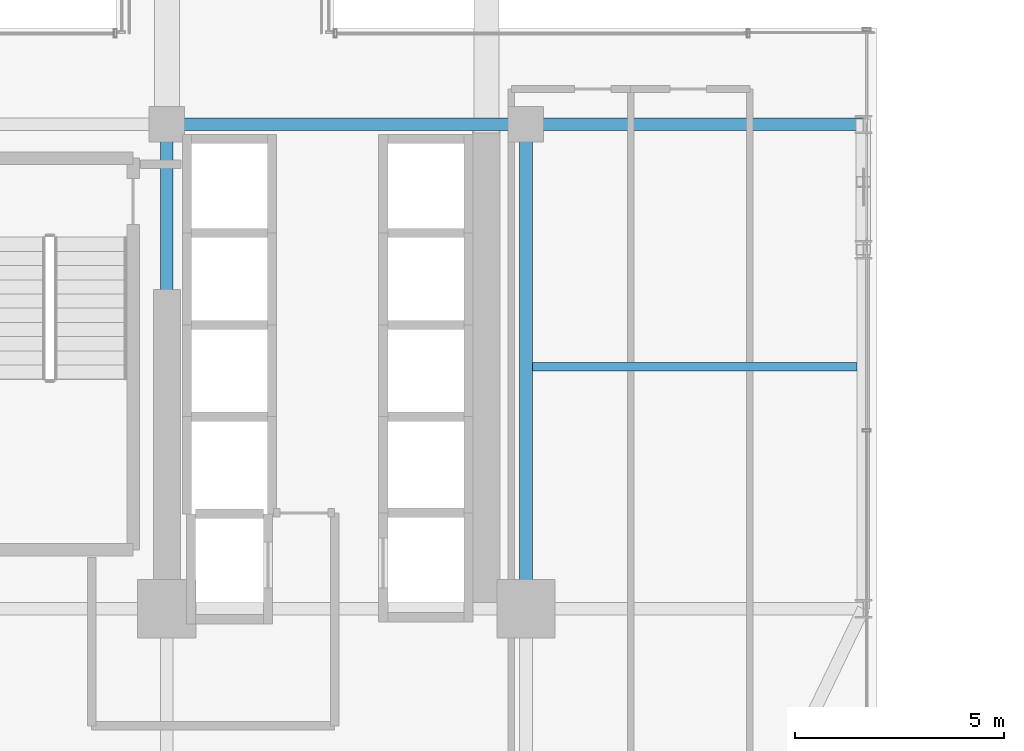
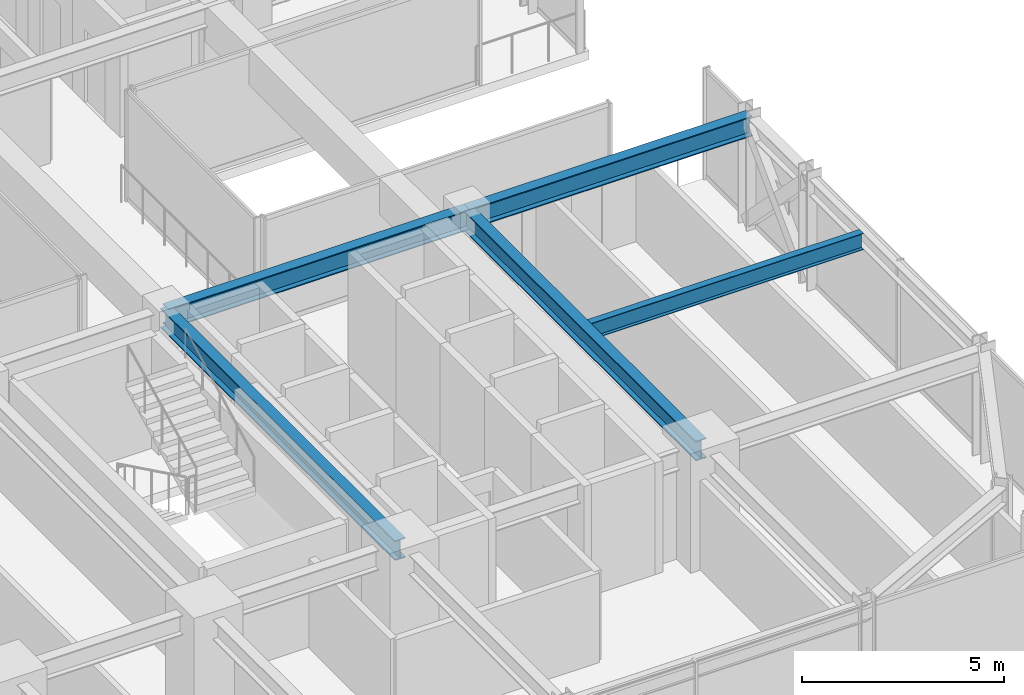
# One storey, part 15 of 43: 5 beams.
"""IFC4 building model written with IfcOpenShell, lengths in metres."""

import ifcopenshell
import ifcopenshell.guid

model = None  # the IFC model being written
_history = None  # IfcOwnerHistory: only IFC2X3 demands one
_inside = {}  # id of a spatial element -> (the spatial element, [elements in it])
_under = {}  # id of a project, library or spatial element -> (it, [spatial elements below it])
_declared = {}  # id of a project -> (the project, [libraries it declares])
_typed = {}  # id of a type object -> (the type object, [elements of that type])
_made_of = {}  # id of a material, layer set ... -> (it, [elements and type objects made of it])


def new_model(schema):
    """Start an empty IFC model of exactly this schema.

    Asked for "IFC4X3", IfcOpenShell would pick the latest addendum, in which some entities
    have other attributes; the version numbers below select the first issue.
    IFC2X3 requires an IfcOwnerHistory on every rooted entity: one is made here for all.
    """
    global model, _history
    if schema == "IFC4X3":
        model = ifcopenshell.file(schema_version=(4, 3, 0, 0))
    else:
        model = ifcopenshell.file(schema=schema)
    _inside.clear()
    _under.clear()
    _declared.clear()
    _typed.clear()
    _made_of.clear()
    _history = None
    if model.schema == "IFC2X3":
        org = make("IfcOrganization", Name="unknown")
        user = make(
            "IfcPersonAndOrganization",
            ThePerson=make("IfcPerson", FamilyName="unknown"),
            TheOrganization=org,
        )
        app = make(
            "IfcApplication",
            ApplicationDeveloper=org,
            Version="unknown",
            ApplicationFullName="unknown",
            ApplicationIdentifier="unknown",
        )
        _history = make(
            "IfcOwnerHistory",
            OwningUser=user,
            OwningApplication=app,
            ChangeAction="ADDED",
            CreationDate=0,
        )
    return model


def make(cls, **values):
    """One entity of the class cls with the attributes given. An attribute that is None is left unset."""
    return model.create_entity(
        cls, **{name: value for name, value in values.items() if value is not None}
    )


def rooted(cls, **values):
    """An entity with a GlobalId (a new one), such as an element, a storey or a relation."""
    return make(cls, GlobalId=ifcopenshell.guid.new(), OwnerHistory=_history, **values)


def si_unit(unit_type, name, prefix=None):
    """IfcSIUnit, for example si_unit("LENGTHUNIT", "METRE", prefix="MILLI")."""
    return make("IfcSIUnit", UnitType=unit_type, Prefix=prefix, Name=name)


def assignment(units):
    """IfcUnitAssignment: the units of a project."""
    return None if units is None else make("IfcUnitAssignment", Units=units)


def point(xyz):
    """IfcCartesianPoint."""
    return None if xyz is None else make("IfcCartesianPoint", Coordinates=xyz)


def direction(xyz):
    """IfcDirection."""
    return None if xyz is None else make("IfcDirection", DirectionRatios=xyz)


def frame(location, z_axis=None, x_axis=None):
    """IfcAxis2Placement3D, a coordinate frame: its origin and axes. An axis left out is left unset."""
    return make(
        "IfcAxis2Placement3D",
        Location=point(location),
        Axis=direction(z_axis),
        RefDirection=direction(x_axis),
    )


def frame_2d(location, x_axis=None):
    """IfcAxis2Placement2D, a coordinate frame in the plane: its origin and x axis."""
    return make(
        "IfcAxis2Placement2D", Location=point(location), RefDirection=direction(x_axis)
    )


def origin():
    """The frame at (0, 0, 0) with its axes left unset."""
    return frame((0.0, 0.0, 0.0))


def origin_2d():
    """The frame at (0, 0) in the plane with its x axis left unset."""
    return frame_2d((0.0, 0.0))


def place(relative_to, where):
    """IfcLocalPlacement: puts the frame where relative to a parent placement (None: the world)."""
    return make(
        "IfcLocalPlacement", PlacementRelTo=relative_to, RelativePlacement=where
    )


def context(
    kind, dimensions, precision=None, world=None, true_north=None, identifier=None
):
    """IfcGeometricRepresentationContext, for example the 3D "Model" context."""
    return make(
        "IfcGeometricRepresentationContext",
        ContextIdentifier=identifier,
        ContextType=kind,
        CoordinateSpaceDimension=dimensions,
        Precision=precision,
        WorldCoordinateSystem=world,
        TrueNorth=true_north,
    )


def subcontext(parent, identifier, kind, view, scale=None):
    """IfcGeometricRepresentationSubContext, for example "Body" below "Model"."""
    return make(
        "IfcGeometricRepresentationSubContext",
        ContextIdentifier=identifier,
        ContextType=kind,
        ParentContext=parent,
        TargetScale=scale,
        TargetView=view,
    )


def project(units=None, contexts=None):
    """IfcProject with its units and contexts."""
    return rooted(
        "IfcProject",
        Name="project",
        RepresentationContexts=contexts,
        UnitsInContext=assignment(units),
    )


def spatial(cls, under=None, at=None, **own):
    """A site, building, storey or space (cls), placed at a placement, below another one or the project."""
    s = rooted(cls, ObjectPlacement=at, **own)
    if under is not None:
        _under.setdefault(under.id(), (under, []))[1].append(s)
    return s


def profile(cls, at=None, kind="AREA", **sizes):
    """A parametric profile (cls). Its sizes go by their IFC names, for example OverallWidth=200.0."""
    return make(cls, ProfileType=kind, Position=at, **sizes)


def i_section(**sizes):
    """IfcIShapeProfileDef."""
    return profile("IfcIShapeProfileDef", **sizes)


def extrude(swept, where, along, depth):
    """IfcExtrudedAreaSolid: the profile swept, set in the frame where, extruded along a direction by depth."""
    return make(
        "IfcExtrudedAreaSolid",
        SweptArea=swept,
        Position=where,
        ExtrudedDirection=direction(along),
        Depth=depth,
    )


def shape(context_of_items, identifier, shape_type, items):
    """IfcShapeRepresentation: the items that make up one representation, for example the "Body"."""
    return make(
        "IfcShapeRepresentation",
        ContextOfItems=context_of_items,
        RepresentationIdentifier=identifier,
        RepresentationType=shape_type,
        Items=items,
    )


def source(mapping_origin, context_of_items, identifier, shape_type, items):
    """IfcRepresentationMap: a shape defined once, which mapped items show again and again."""
    return make(
        "IfcRepresentationMap",
        MappingOrigin=mapping_origin,
        MappedRepresentation=shape(context_of_items, identifier, shape_type, items),
    )


def transform(
    local_origin,
    x_axis=None,
    y_axis=None,
    z_axis=None,
    scale=None,
    scale2=None,
    scale3=None,
    uniform=True,
):
    """IfcCartesianTransformationOperator3D, or its non-uniform kind. x_axis, y_axis, z_axis: its Axis1, 2, 3."""
    if uniform:
        return make(
            "IfcCartesianTransformationOperator3D",
            Axis1=direction(x_axis),
            Axis2=direction(y_axis),
            LocalOrigin=point(local_origin),
            Scale=scale,
            Axis3=direction(z_axis),
        )
    return make(
        "IfcCartesianTransformationOperator3DnonUniform",
        Axis1=direction(x_axis),
        Axis2=direction(y_axis),
        LocalOrigin=point(local_origin),
        Scale=scale,
        Axis3=direction(z_axis),
        Scale2=scale2,
        Scale3=scale3,
    )


def mapped(mapping_source, mapping_target):
    """IfcMappedItem: shows the shape of a source again, moved by a transform."""
    return make(
        "IfcMappedItem", MappingSource=mapping_source, MappingTarget=mapping_target
    )


def material(Name=None, Category=None):
    """IfcMaterial."""
    return make("IfcMaterial", Name=Name, Category=Category)


def material_profile(
    of_material, cross_section, Name=None, Category=None, Priority=None
):
    """IfcMaterialProfile: a cross section and its material."""
    return make(
        "IfcMaterialProfile",
        Name=Name,
        Material=of_material,
        Profile=cross_section,
        Priority=Priority,
        Category=Category,
    )


def profile_set(profiles, Name=None, composite=None):
    """IfcMaterialProfileSet."""
    return make(
        "IfcMaterialProfileSet",
        Name=Name,
        MaterialProfiles=profiles,
        CompositeProfile=composite,
    )


def made_of(thing, what):
    """Note that an element or type object is made of a material, layer set ...; save() writes the relation."""
    if what is not None:
        _made_of.setdefault(what.id(), (what, []))[1].append(thing)
    return thing


def type_object(cls, material=None, **own):
    """A type object (cls), such as IfcWallType, which elements share."""
    return made_of(rooted(cls, **own), material)


def element(
    cls,
    number,
    at=None,
    inside=None,
    cuts=None,
    type_object=None,
    material=None,
    context=None,
    identifier="Body",
    shape_type=None,
    held_by="IfcProductDefinitionShape",
    body=None,
    shapes=None,
    **own,
):
    """One element of the class cls, such as IfcWall. Its Tag is "e" and its number.

    at: its placement. inside: the storey or other place that contains it. cuts: it is an
    opening in that element (IfcRelVoidsElement). A single representation is given by context,
    identifier, shape_type and body (its items); several are given by shapes. held_by: the class
    of the entity that holds the representations. save() writes the other relations.
    """
    e = rooted(cls, Tag="e%d" % number, ObjectPlacement=at, **own)
    if body is not None:
        shapes = [shape(context, identifier, shape_type, body)]
    if shapes is not None:
        e.Representation = make(held_by, Representations=shapes)
    if inside is not None:
        _inside.setdefault(inside.id(), (inside, []))[1].append(e)
    if cuts is not None:
        rooted(
            "IfcRelVoidsElement", RelatingBuildingElement=cuts, RelatedOpeningElement=e
        )
    if type_object is not None:
        _typed.setdefault(type_object.id(), (type_object, []))[1].append(e)
    return made_of(e, material)


def aggregate(whole, parts):
    """IfcRelAggregates: a whole, such as a stair, and the parts it consists of."""
    return rooted("IfcRelAggregates", RelatingObject=whole, RelatedObjects=parts)


def save(model, path):
    """Write the relations noted so far, then the file.

    IfcRelAggregates (storeys below a building ...), IfcRelContainedInSpatialStructure (elements
    in a storey), IfcRelDefinesByType, IfcRelAssociatesMaterial and IfcRelDeclares: one each for
    every whole, place, type object, material and project.
    """
    for whole, parts in _under.values():
        aggregate(whole, parts)
    for where, things in _inside.values():
        rooted(
            "IfcRelContainedInSpatialStructure",
            RelatedElements=things,
            RelatingStructure=where,
        )
    for kind, things in _typed.values():
        rooted("IfcRelDefinesByType", RelatedObjects=things, RelatingType=kind)
    for what, things in _made_of.values():
        rooted("IfcRelAssociatesMaterial", RelatedObjects=things, RelatingMaterial=what)
    for by, libraries in _declared.values():
        rooted("IfcRelDeclares", RelatingContext=by, RelatedDefinitions=libraries)
    model.write(path)


model = new_model("IFC4")

# Units and contexts
model_context = context("Model", 3, precision=1e-05, world=origin(), true_north=direction((0.0, 1.0)))
body_context = subcontext(model_context, "Body", "Model", "MODEL_VIEW")
ifc_project = project(units=[si_unit("LENGTHUNIT", "METRE"), si_unit("AREAUNIT", "SQUARE_METRE"), si_unit("VOLUMEUNIT", "CUBIC_METRE"), si_unit("PLANEANGLEUNIT", "RADIAN"), si_unit("MASSUNIT", "GRAM", prefix="KILO")], contexts=[model_context])

# Site, building, storey
site_placement = place(None, origin())
site = spatial("IfcSite", under=ifc_project, at=site_placement, CompositionType="ELEMENT")
building_placement = place(site_placement, origin())
building = spatial("IfcBuilding", under=site, at=building_placement, Name="Nahalor Promenade Grand Hotel", CompositionType="ELEMENT")
storey_placement = place(building_placement, frame((0.0, 0.0, 57.949951171875)))
storey = spatial("IfcBuildingStorey", under=building, at=storey_placement, Name="L13", CompositionType="ELEMENT", Elevation=57.949951171875)

# Beams
ifc_material = material(Name="Steel S355JR", Category="steel")
ifc_material_profile_1 = material_profile(ifc_material, i_section(OverallWidth=0.3, OverallDepth=0.6, WebThickness=0.0155, FlangeThickness=0.03, at=origin_2d()), Name="HEB 600")
ifc_profile_set_1 = profile_set([ifc_material_profile_1], Name="Steel S355JR")
beam_type_1 = type_object("IfcBeamType", Name="Beam-Girder-HEB600", PredefinedType="BEAM", material=ifc_profile_set_1)
shared_shape_1 = source(origin(), body_context, "Body", "SweptSolid", [
    extrude(i_section(OverallWidth=0.3, OverallDepth=0.6, WebThickness=0.0155, FlangeThickness=0.03, at=origin_2d()), origin(), (0.0, 0.0, 1.0), 8.60009765625),
])
beam_1_placement = place(storey_placement, frame((8.39990234375, -5.39990234375, 3.070068359375), z_axis=(1.0, 0.0, 0.0), x_axis=(0.0, 1.0, 0.0)))
element("IfcBeam", 1, at=beam_1_placement, inside=storey, type_object=beam_type_1, Name="BM-L13-GX-1-5", PredefinedType="BEAM", context=body_context, shape_type="MappedRepresentation", body=[
    mapped(shared_shape_1, transform((0.0, 0.0, 0.0), scale=1.0)),
])
shared_shape_2 = source(origin(), body_context, "Body", "SweptSolid", [
    extrude(i_section(OverallWidth=0.3, OverallDepth=0.6, WebThickness=0.0155, FlangeThickness=0.03, at=origin_2d()), origin(), (0.0, 0.0, 1.0), 11.60009765625),
])
for number, where, z_axis, x_axis, name in (
    (2, (8.39990234375, -17.0, 3.070068359375), (0.0, 1.0, 0.0), (-1.0, 0.0, 0.0), "BM-L13-GY-4-1"),
    (3, (17.0, -17.0, 3.070068359375), (0.0, 1.0, 0.0), (-1.0, 0.0, 0.0), "BM-L13-GY-5-1"),
):
    element("IfcBeam", number, at=place(storey_placement, frame(where, z_axis=z_axis, x_axis=x_axis)), inside=storey, type_object=beam_type_1, Name=name, PredefinedType="BEAM", context=body_context, shape_type="MappedRepresentation", body=[
        mapped(shared_shape_2, transform((0.0, 0.0, 0.0), scale=1.0)),
    ])
shared_shape_3 = source(origin(), body_context, "Body", "SweptSolid", [
    extrude(i_section(OverallWidth=0.3, OverallDepth=0.6, WebThickness=0.0155, FlangeThickness=0.03, at=origin_2d()), origin(), (0.0, 0.0, 1.0), 8.080078125),
])
beam_2_placement = place(storey_placement, frame((17.0, -5.39990234375, 3.070068359375), z_axis=(1.0, 0.0, 0.0), x_axis=(0.0, 1.0, 0.0)))
element("IfcBeam", 4, at=beam_2_placement, inside=storey, type_object=beam_type_1, Name="BM-L13-GX-1-6", PredefinedType="BEAM", context=body_context, shape_type="MappedRepresentation", body=[
    mapped(shared_shape_3, transform((0.0, 0.0, 0.0), scale=1.0)),
])
ifc_material_profile_2 = material_profile(ifc_material, i_section(OverallWidth=0.2, OverallDepth=0.5, WebThickness=0.0102, FlangeThickness=0.016, at=origin_2d()), Name="IPE 500")
ifc_profile_set_2 = profile_set([ifc_material_profile_2], Name="Steel S355JR")
beam_type_2 = type_object("IfcBeamType", Name="Beam-Joist-IPE500", PredefinedType="JOIST", material=ifc_profile_set_2)
shared_shape_4 = source(origin(), body_context, "Body", "SweptSolid", [
    extrude(i_section(OverallWidth=0.2, OverallDepth=0.5, WebThickness=0.0102, FlangeThickness=0.016, at=origin_2d()), origin(), (0.0, 0.0, 1.0), 7.780029296875),
])
beam_3_placement = place(storey_placement, frame((17.14990234375, -11.199951171875, 3.1201171875), z_axis=(1.0, 0.0, 0.0), x_axis=(0.0, 1.0, 0.0)))
element("IfcBeam", 5, at=beam_3_placement, inside=storey, type_object=beam_type_2, Name="BM-L13-JSE-0-2", PredefinedType="JOIST", context=body_context, shape_type="MappedRepresentation", body=[
    mapped(shared_shape_4, transform((0.0, 0.0, 0.0), scale=1.0)),
])

save(model, "model.ifc")
